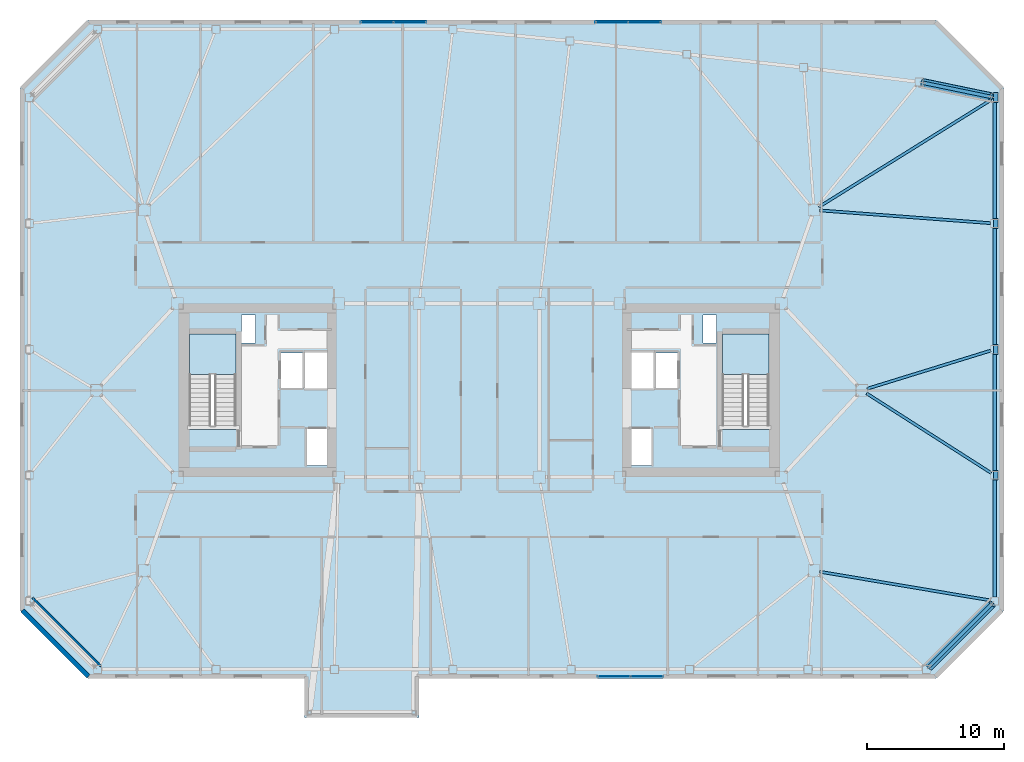
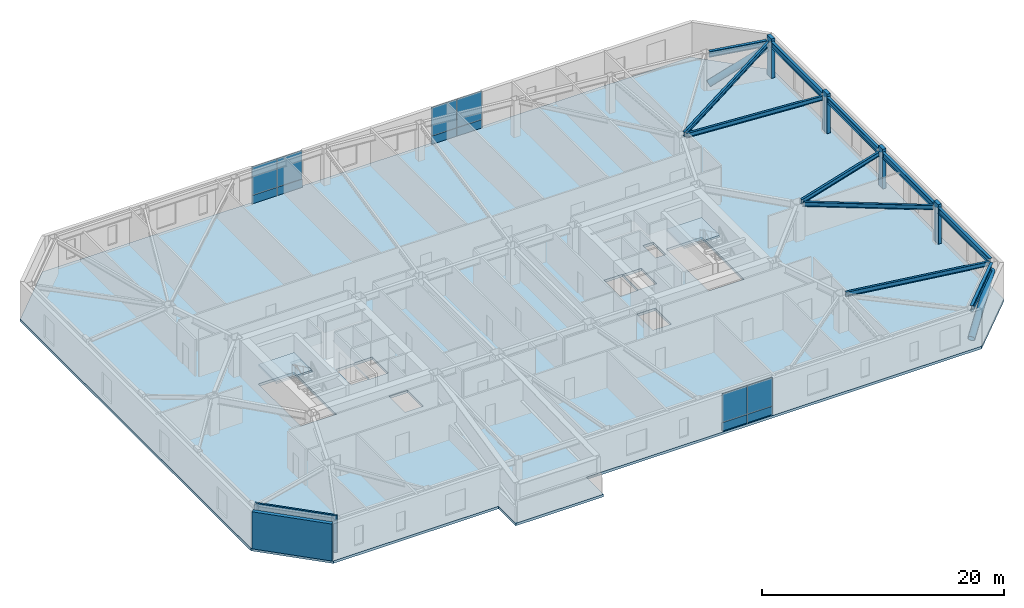
# One storey, part 8 of 17: 12 plates, 11 beams, 6 members, 3 slabs, 2 walls, 5 elements without a shape of their own.
"""IFC4 building model written with IfcOpenShell, lengths in metres."""

from ifc_helpers import new_model, si_unit, direction, frame, frame_2d, origin, origin_2d, place, context, subcontext, project, spatial, polyline, rectangle, hollow_circle, i_section, outline, extrude, material, layer, layer_set, material_profile, profile_set, type_object, element, aggregate, save


model = new_model("IFC4")

# Units and contexts
model_context = context("Model", 3, precision=1e-05, world=origin(), true_north=direction((0.0, 1.0)))
body_context = subcontext(model_context, "Body", "Model", "MODEL_VIEW")
ifc_project = project(units=[si_unit("LENGTHUNIT", "METRE"), si_unit("AREAUNIT", "SQUARE_METRE"), si_unit("VOLUMEUNIT", "CUBIC_METRE"), si_unit("PLANEANGLEUNIT", "RADIAN"), si_unit("MASSUNIT", "GRAM", prefix="KILO")], contexts=[model_context])

# Site, building, storey
site_placement = place(None, origin())
site = spatial("IfcSite", under=ifc_project, at=site_placement, CompositionType="ELEMENT")
building_placement = place(site_placement, origin())
building = spatial("IfcBuilding", under=site, at=building_placement, Name="Tavrogorsk Clinical Tower", CompositionType="ELEMENT")
storey_placement = place(building_placement, frame((0.0, 0.0, 160.199951171875)))
storey = spatial("IfcBuildingStorey", under=building, at=storey_placement, Name="L36", CompositionType="ELEMENT", Elevation=160.199951171875)

# Members
ifc_material_1 = material(Name="Structural steel S440", Category="steel")
ifc_material_profile_1 = material_profile(ifc_material_1, hollow_circle(Radius=0.304931640625, WallThickness=0.02490234375, at=origin_2d()), Name="CHS-610x25")
ifc_profile_set_1 = profile_set([ifc_material_profile_1], Name="Structural steel S440")
member_type_1 = type_object("IfcMemberType", Name="ExoBrace_CHS610", PredefinedType="BRACE", material=ifc_profile_set_1)
member_1_placement = place(storey_placement, frame((32.922607421875, -20.217529296875, 0.4130859375), z_axis=(0.657738695475, 0.657773644396, 0.3670335696), x_axis=(-0.707125566484, 0.70708799539, 0.0)))
element("IfcMember", 1, at=member_1_placement, inside=storey, type_object=member_type_1, Name="L36 Corner Exoskeleton Brace S8-E1", PredefinedType="BRACE", context=body_context, shape_type="SweptSolid", body=[
    extrude(hollow_circle(Radius=0.304931640625, WallThickness=0.02490234375, at=origin_2d()), origin(), (0.0, 0.0, 1.0), 6.985595703125),
])
member_2_placement = place(storey_placement, frame((32.461669921875, 22.509765625, 0.4365234375), z_axis=(0.877871206027, -0.181924853718, 0.442996042002), x_axis=(0.202922555913, 0.979194789764, 0.0)))
element("IfcMember", 2, at=member_2_placement, inside=storey, type_object=member_type_1, Name="L36 Corner Exoskeleton Brace E5-N1", PredefinedType="BRACE", context=body_context, shape_type="SweptSolid", body=[
    extrude(hollow_circle(Radius=0.304931640625, WallThickness=0.02490234375, at=origin_2d()), origin(), (0.0, 0.0, 1.0), 5.681884765625),
])

# Beams
ifc_material_2 = material(Name="Structural steel S355", Category="steel")
ifc_material_profile_2 = material_profile(ifc_material_2, i_section(OverallWidth=0.199951171875, OverallDepth=0.449951171875, WebThickness=0.011474609375, FlangeThickness=0.01806640625, at=origin_2d()), Name="B-450x200x11.5x18")
ifc_profile_set_2 = profile_set([ifc_material_profile_2], Name="Structural steel S355")
beam_type_1 = type_object("IfcBeamType", Name="FloorBeam_B450", PredefinedType="BEAM", material=ifc_profile_set_2)
beam_1_placement = place(storey_placement, frame((24.904296875, -13.267822265625, 3.51513671875), z_axis=(0.98619191169, -0.165606501434, 0.0), x_axis=(0.165606501434, 0.98619191169, 0.0)))
element("IfcBeam", 3, at=beam_1_placement, inside=storey, type_object=beam_type_1, Name="L36 Radial Floor Beam E1", PredefinedType="BEAM", context=body_context, shape_type="SweptSolid", body=[
    extrude(i_section(OverallWidth=0.199951171875, OverallDepth=0.449951171875, WebThickness=0.011474609375, FlangeThickness=0.01806640625, at=origin_2d()), origin(), (0.0, 0.0, 1.0), 12.687255859375),
])
beam_2_placement = place(storey_placement, frame((28.345458984375, -0.220703125, 3.51513671875), z_axis=(0.842695406435, -0.538390612821, 0.0), x_axis=(0.538390612821, 0.842695406435, 0.0)))
element("IfcBeam", 4, at=beam_2_placement, inside=storey, type_object=beam_type_1, Name="L36 Radial Floor Beam E2", PredefinedType="BEAM", context=body_context, shape_type="SweptSolid", body=[
    extrude(i_section(OverallWidth=0.199951171875, OverallDepth=0.449951171875, WebThickness=0.011474609375, FlangeThickness=0.01806640625, at=origin_2d()), origin(), (0.0, 0.0, 1.0), 10.81640625),
])
beam_3_placement = place(storey_placement, frame((28.391845703125, 0.120849609375, 3.51513671875), z_axis=(0.955521252098, 0.294922255499, 0.0), x_axis=(-0.294922255499, 0.955521252098, 0.0)))
element("IfcBeam", 5, at=beam_3_placement, inside=storey, type_object=beam_type_1, Name="L36 Radial Floor Beam E3", PredefinedType="BEAM", context=body_context, shape_type="SweptSolid", body=[
    extrude(i_section(OverallWidth=0.199951171875, OverallDepth=0.449951171875, WebThickness=0.011474609375, FlangeThickness=0.01806640625, at=origin_2d()), origin(), (0.0, 0.0, 1.0), 9.454345703125),
])
beam_4_placement = place(storey_placement, frame((24.908935546875, 13.16943359375, 3.51513671875), z_axis=(0.99720685587, -0.074689267009, 0.0), x_axis=(0.074689267009, 0.99720685587, 0.0)))
element("IfcBeam", 6, at=beam_4_placement, inside=storey, type_object=beam_type_1, Name="L36 Radial Floor Beam E4", PredefinedType="BEAM", context=body_context, shape_type="SweptSolid", body=[
    extrude(i_section(OverallWidth=0.199951171875, OverallDepth=0.449951171875, WebThickness=0.011474609375, FlangeThickness=0.01806640625, at=origin_2d()), origin(), (0.0, 0.0, 1.0), 12.538818359375),
])
beam_5_placement = place(storey_placement, frame((24.84814453125, 13.41650390625, 3.51513671875), z_axis=(0.849226346116, 0.528028988846, 0.0), x_axis=(-0.528028988846, 0.849226346116, 0.0)))
element("IfcBeam", 7, at=beam_5_placement, inside=storey, type_object=beam_type_1, Name="L36 Radial Floor Beam E5", PredefinedType="BEAM", context=body_context, shape_type="SweptSolid", body=[
    extrude(i_section(OverallWidth=0.199951171875, OverallDepth=0.449951171875, WebThickness=0.011474609375, FlangeThickness=0.01806640625, at=origin_2d()), origin(), (0.0, 0.0, 1.0), 14.84912109375),
])

# Members
ifc_material_3 = material(Name="Precast concrete B45 with limestone cladding", Category="masonry")
ifc_material_profile_3 = material_profile(ifc_material_3, rectangle(XDim=0.320068359375, YDim=0.719970703125, at=origin_2d()), Name="LIMESTONE-FIN-320x720")
ifc_profile_set_3 = profile_set([ifc_material_profile_3], Name="Precast concrete B45 with limestone cladding")
member_type_2 = type_object("IfcMemberType", Name="LimestonePleatFin_320x720", PredefinedType="USERDEFINED", material=ifc_profile_set_3)
for number, where, z_axis, x_axis, name in (
    (8, (37.800048828125, -6.2099609375, 0.0), (0.0, 0.0, 1.0), (1.0, 0.0, 0.0), "L36 E Pleated Stone Fin 1"),
    (9, (37.800048828125, 3.0, 0.0), (0.0, 0.0, 1.0), (1.0, 0.0, 0.0), "L36 E Pleated Stone Fin 2"),
    (10, (37.800048828125, 12.2099609375, 0.0), (0.0, 0.0, 1.0), (1.0, 0.0, 0.0), "L36 E Pleated Stone Fin 3"),
    (11, (37.800048828125, 21.419921875, 0.0), (0.0, 0.0, 1.0), (1.0, 0.0, 0.0), "L36 E Pleated Stone Fin 4"),
):
    element("IfcMember", number, at=place(storey_placement, frame(where, z_axis=z_axis, x_axis=x_axis)), inside=storey, type_object=member_type_2, Name=name, ObjectType="FIN", PredefinedType="USERDEFINED", context=body_context, shape_type="SweptSolid", body=[
        extrude(rectangle(XDim=0.320068359375, YDim=0.719970703125, at=origin_2d()), origin(), (0.0, 0.0, 1.0), 4.0),
    ])

# Beams
ifc_material_4 = material(Name="Structural steel S390", Category="steel")
ifc_material_profile_4 = material_profile(ifc_material_4, i_section(OverallWidth=0.260009765625, OverallDepth=0.60009765625, WebThickness=0.014892578125, FlangeThickness=0.02392578125, at=origin_2d()), Name="B-600x260x15x24")
ifc_profile_set_4 = profile_set([ifc_material_profile_4], Name="Structural steel S390")
beam_type_2 = type_object("IfcBeamType", Name="SpandrelBeam_B600", PredefinedType="SPANDREL", material=ifc_profile_set_4)
beam_6_placement = place(storey_placement, frame((32.937744140625, -20.2021484375, 3.43994140625), z_axis=(0.707106781187, 0.707106781187, 0.0), x_axis=(-0.707106781187, 0.707106781187, 0.0)))
element("IfcBeam", 12, at=beam_6_placement, inside=storey, type_object=beam_type_2, Name="L36 Perimeter Spandrel S8-E1", PredefinedType="SPANDREL", context=body_context, shape_type="SweptSolid", body=[
    extrude(i_section(OverallWidth=0.260009765625, OverallDepth=0.60009765625, WebThickness=0.014892578125, FlangeThickness=0.02392578125, at=origin_2d()), origin(), (0.0, 0.0, 1.0), 6.455078125),
])
for number, where, z_axis, x_axis, name in (
    (13, (37.719970703125, -15.112060546875, 3.43994140625), (0.0, 1.0, 0.0), (-1.0, 0.0, 0.0), "L36 Perimeter Spandrel E1-E2"),
    (14, (37.719970703125, -5.902099609375, 3.43994140625), (0.0, 1.0, 0.0), (-1.0, 0.0, 0.0), "L36 Perimeter Spandrel E2-E3"),
    (15, (37.719970703125, 3.30810546875, 3.43994140625), (0.0, 1.0, 0.0), (-1.0, 0.0, 0.0), "L36 Perimeter Spandrel E3-E4"),
    (16, (37.719970703125, 12.51806640625, 3.43994140625), (0.0, 1.0, 0.0), (-1.0, 0.0, 0.0), "L36 Perimeter Spandrel E4-E5"),
):
    element("IfcBeam", number, at=place(storey_placement, frame(where, z_axis=z_axis, x_axis=x_axis)), inside=storey, type_object=beam_type_2, Name=name, PredefinedType="SPANDREL", context=body_context, shape_type="SweptSolid", body=[
        extrude(i_section(OverallWidth=0.260009765625, OverallDepth=0.60009765625, WebThickness=0.014892578125, FlangeThickness=0.02392578125, at=origin_2d()), origin(), (0.0, 0.0, 1.0), 8.593994140625),
    ])
beam_7_placement = place(storey_placement, frame((37.41845703125, 21.482421875, 3.43994140625), z_axis=(-0.979184643877, 0.202971508337, 0.0), x_axis=(-0.202971508337, -0.979184643877, 0.0)))
element("IfcBeam", 17, at=beam_7_placement, inside=storey, type_object=beam_type_2, Name="L36 Perimeter Spandrel E5-N1", PredefinedType="SPANDREL", context=body_context, shape_type="SweptSolid", body=[
    extrude(i_section(OverallWidth=0.260009765625, OverallDepth=0.60009765625, WebThickness=0.014892578125, FlangeThickness=0.02392578125, at=origin_2d()), origin(), (0.0, 0.0, 1.0), 5.0302734375),
])

# Curtain wall, plates
ifc_material_5 = material(Name="Anodised aluminium and triple IGU glazing", Category="aluminium")
ifc_layer_1 = layer(ifc_material_5, 0.179931640625)
ifc_layer_set_1 = layer_set([ifc_layer_1], Name="Anodised aluminium and triple IGU glazing")
curtain_wall_type_1 = type_object("IfcCurtainWallType", Name="CW3_SouthSlot", PredefinedType="NOTDEFINED", material=ifc_layer_set_1)
curtain_wall_1_placement = place(storey_placement, origin())
curtain_wall_1 = element("IfcCurtainWall", 18, at=curtain_wall_1_placement, inside=storey, type_object=curtain_wall_type_1, Name="L36 Curtain Wall CW-L36-S-SLOT-2", PredefinedType="NOTDEFINED")
ifc_material_6 = material(Name="Honed Podolsk limestone spandrel panel", Category="masonry")
ifc_layer_2 = layer(ifc_material_6, 0.080078125)
ifc_layer_set_2 = layer_set([ifc_layer_2], Name="Honed Podolsk limestone spandrel panel")
plate_type_1 = type_object("IfcPlateType", Name="CwSpandrelStonePanel_80", PredefinedType="CURTAIN_PANEL", material=ifc_layer_set_2)
plate_1_placement = place(storey_placement, frame((9.854736328125, -20.929931640625, 0.002197265625), z_axis=(0.0, 0.0, 1.0), x_axis=(1.0, 0.0, 0.0)))
plate_1 = element("IfcPlate", 19, at=plate_1_placement, type_object=plate_type_1, Name="CW-L36-S-SLOT-2 Stone Spandrel Panel 1", PredefinedType="CURTAIN_PANEL", context=body_context, shape_type="SweptSolid", body=[
    extrude(rectangle(XDim=2.39208984375, YDim=0.080078125, at=origin_2d()), origin(), (0.0, 0.0, 1.0), 0.8359375),
])
plate_2_placement = place(storey_placement, frame((12.270751953125, -20.929931640625, 0.002197265625), z_axis=(0.0, 0.0, 1.0), x_axis=(1.0, 0.0, 0.0)))
plate_2 = element("IfcPlate", 20, at=plate_2_placement, type_object=plate_type_1, Name="CW-L36-S-SLOT-2 Stone Spandrel Panel 2", PredefinedType="CURTAIN_PANEL", context=body_context, shape_type="SweptSolid", body=[
    extrude(rectangle(XDim=2.39208984375, YDim=0.080078125, at=origin_2d()), origin(), (0.0, 0.0, 1.0), 0.8359375),
])

ifc_material_7 = material(Name="Anodised aluminium and triple IGU glazing", Category="aluminium")
ifc_layer_3 = layer(ifc_material_7, 0.179931640625)
ifc_layer_set_3 = layer_set([ifc_layer_3], Name="Anodised aluminium and triple IGU glazing")
curtain_wall_type_2 = type_object("IfcCurtainWallType", Name="CW2_NorthSlot", PredefinedType="NOTDEFINED", material=ifc_layer_set_3)
curtain_wall_2_placement = place(storey_placement, origin())
curtain_wall_2 = element("IfcCurtainWall", 21, at=curtain_wall_2_placement, inside=storey, type_object=curtain_wall_type_2, Name="L36 Curtain Wall CW-L36-N-SLOT-1", PredefinedType="NOTDEFINED")
plate_3_placement = place(storey_placement, frame((-5.054931640625, 26.929931640625, 0.002197265625), z_axis=(0.0, 0.0, 1.0), x_axis=(-1.0, 0.0, 0.0)))
plate_3 = element("IfcPlate", 22, at=plate_3_placement, type_object=plate_type_1, Name="CW-L36-N-SLOT-1 Stone Spandrel Panel 1", PredefinedType="CURTAIN_PANEL", context=body_context, shape_type="SweptSolid", body=[
    extrude(rectangle(XDim=2.39208984375, YDim=0.080078125, at=origin_2d()), origin(), (0.0, 0.0, 1.0), 0.8359375),
])
plate_4_placement = place(storey_placement, frame((-7.470947265625, 26.929931640625, 0.002197265625), z_axis=(0.0, 0.0, 1.0), x_axis=(-1.0, 0.0, 0.0)))
plate_4 = element("IfcPlate", 23, at=plate_4_placement, type_object=plate_type_1, Name="CW-L36-N-SLOT-1 Stone Spandrel Panel 2", PredefinedType="CURTAIN_PANEL", context=body_context, shape_type="SweptSolid", body=[
    extrude(rectangle(XDim=2.39208984375, YDim=0.080078125, at=origin_2d()), origin(), (0.0, 0.0, 1.0), 0.8359375),
])

curtain_wall_3_placement = place(storey_placement, origin())
curtain_wall_3 = element("IfcCurtainWall", 24, at=curtain_wall_3_placement, inside=storey, type_object=curtain_wall_type_2, Name="L36 Curtain Wall CW-L36-N-SLOT-2", PredefinedType="NOTDEFINED")
plate_5_placement = place(storey_placement, frame((12.1181640625, 26.929931640625, 0.002197265625), z_axis=(0.0, 0.0, 1.0), x_axis=(-1.0, 0.0, 0.0)))
plate_5 = element("IfcPlate", 25, at=plate_5_placement, type_object=plate_type_1, Name="CW-L36-N-SLOT-2 Stone Spandrel Panel 1", PredefinedType="CURTAIN_PANEL", context=body_context, shape_type="SweptSolid", body=[
    extrude(rectangle(XDim=2.39208984375, YDim=0.080078125, at=origin_2d()), origin(), (0.0, 0.0, 1.0), 0.8359375),
])
plate_6_placement = place(storey_placement, frame((9.7021484375, 26.929931640625, 0.002197265625), z_axis=(0.0, 0.0, 1.0), x_axis=(-1.0, 0.0, 0.0)))
plate_6 = element("IfcPlate", 26, at=plate_6_placement, type_object=plate_type_1, Name="CW-L36-N-SLOT-2 Stone Spandrel Panel 2", PredefinedType="CURTAIN_PANEL", context=body_context, shape_type="SweptSolid", body=[
    extrude(rectangle(XDim=2.39208984375, YDim=0.080078125, at=origin_2d()), origin(), (0.0, 0.0, 1.0), 0.8359375),
])

# Plate
ifc_material_8 = material(Name="Triple low-E argon insulated glass", Category="glass")
ifc_layer_4 = layer(ifc_material_8, 0.048095703125)
ifc_layer_set_4 = layer_set([ifc_layer_4], Name="Triple low-E argon insulated glass")
plate_type_2 = type_object("IfcPlateType", Name="CwVisionGlassPanel_48", PredefinedType="CURTAIN_PANEL", material=ifc_layer_set_4)
plate_7_placement = place(storey_placement, frame((9.854736328125, -20.929931640625, 0.862060546875), z_axis=(0.0, 0.0, 1.0), x_axis=(1.0, 0.0, 0.0)))
plate_7 = element("IfcPlate", 27, at=plate_7_placement, type_object=plate_type_2, Name="CW-L36-S-SLOT-2 Glazing Panel 1", PredefinedType="CURTAIN_PANEL", context=body_context, shape_type="SweptSolid", body=[
    extrude(rectangle(XDim=2.39208984375, YDim=0.048095703125, at=origin_2d()), origin(), (0.0, 0.0, 1.0), 2.8759765625),
])

plate_8_placement = place(storey_placement, frame((12.270751953125, -20.929931640625, 0.862060546875), z_axis=(0.0, 0.0, 1.0), x_axis=(1.0, 0.0, 0.0)))
plate_8 = element("IfcPlate", 28, at=plate_8_placement, type_object=plate_type_2, Name="CW-L36-S-SLOT-2 Glazing Panel 2", PredefinedType="CURTAIN_PANEL", context=body_context, shape_type="SweptSolid", body=[
    extrude(rectangle(XDim=2.39208984375, YDim=0.048095703125, at=origin_2d()), origin(), (0.0, 0.0, 1.0), 2.8759765625),
])

aggregate(curtain_wall_1, [plate_1, plate_7, plate_2, plate_8])

plate_9_placement = place(storey_placement, frame((-5.054931640625, 26.929931640625, 0.862060546875), z_axis=(0.0, 0.0, 1.0), x_axis=(-1.0, 0.0, 0.0)))
plate_9 = element("IfcPlate", 29, at=plate_9_placement, type_object=plate_type_2, Name="CW-L36-N-SLOT-1 Glazing Panel 1", PredefinedType="CURTAIN_PANEL", context=body_context, shape_type="SweptSolid", body=[
    extrude(rectangle(XDim=2.39208984375, YDim=0.048095703125, at=origin_2d()), origin(), (0.0, 0.0, 1.0), 2.8759765625),
])

plate_10_placement = place(storey_placement, frame((-7.470947265625, 26.929931640625, 0.862060546875), z_axis=(0.0, 0.0, 1.0), x_axis=(-1.0, 0.0, 0.0)))
plate_10 = element("IfcPlate", 30, at=plate_10_placement, type_object=plate_type_2, Name="CW-L36-N-SLOT-1 Glazing Panel 2", PredefinedType="CURTAIN_PANEL", context=body_context, shape_type="SweptSolid", body=[
    extrude(rectangle(XDim=2.39208984375, YDim=0.048095703125, at=origin_2d()), origin(), (0.0, 0.0, 1.0), 2.8759765625),
])

aggregate(curtain_wall_2, [plate_3, plate_9, plate_4, plate_10])

plate_11_placement = place(storey_placement, frame((12.1181640625, 26.929931640625, 0.862060546875), z_axis=(0.0, 0.0, 1.0), x_axis=(-1.0, 0.0, 0.0)))
plate_11 = element("IfcPlate", 31, at=plate_11_placement, type_object=plate_type_2, Name="CW-L36-N-SLOT-2 Glazing Panel 1", PredefinedType="CURTAIN_PANEL", context=body_context, shape_type="SweptSolid", body=[
    extrude(rectangle(XDim=2.39208984375, YDim=0.048095703125, at=origin_2d()), origin(), (0.0, 0.0, 1.0), 2.8759765625),
])

plate_12_placement = place(storey_placement, frame((9.7021484375, 26.929931640625, 0.862060546875), z_axis=(0.0, 0.0, 1.0), x_axis=(-1.0, 0.0, 0.0)))
plate_12 = element("IfcPlate", 32, at=plate_12_placement, type_object=plate_type_2, Name="CW-L36-N-SLOT-2 Glazing Panel 2", PredefinedType="CURTAIN_PANEL", context=body_context, shape_type="SweptSolid", body=[
    extrude(rectangle(XDim=2.39208984375, YDim=0.048095703125, at=origin_2d()), origin(), (0.0, 0.0, 1.0), 2.8759765625),
])

aggregate(curtain_wall_3, [plate_5, plate_11, plate_6, plate_12])

# Stair, slab
ifc_material_9 = material(Name="Concrete B60", Category="concrete")
stair_type = type_object("IfcStairType", Name="CoreStairAssembly", PredefinedType="HALF_TURN_STAIR", material=ifc_material_9)
stair_1_placement = place(storey_placement, origin())
stair_1 = element("IfcStair", 33, at=stair_1_placement, inside=storey, type_object=stair_type, Name="L36 ST-W", PredefinedType="HALF_TURN_STAIR")
ifc_material_10 = material(Name="Concrete B60", Category="concrete")
ifc_layer_5 = layer(ifc_material_10, 0.199951171875)
ifc_layer_set_5 = layer_set([ifc_layer_5], Name="Concrete B60")
slab_type_1 = type_object("IfcSlabType", Name="StairLanding_200", PredefinedType="LANDING", material=ifc_layer_set_5)
slab_1_placement = place(storey_placement, frame((0.0, 0.0, 1.800048828125)))
slab_1 = element("IfcSlab", 34, at=slab_1_placement, type_object=slab_type_1, Name="ST-W landing 1", PredefinedType="LANDING", context=body_context, shape_type="SweptSolid", body=[
    extrude(outline(polyline([(-17.800048828125, 1.1650390625), (-17.800048828125, 4.125), (-21.199951171875, 4.125), (-21.199951171875, 1.1650390625), (-17.800048828125, 1.1650390625)])), origin(), (0.0, 0.0, 1.0), 0.199951171875),
])
aggregate(stair_1, [slab_1])

stair_2_placement = place(storey_placement, origin())
stair_2 = element("IfcStair", 35, at=stair_2_placement, inside=storey, type_object=stair_type, Name="L36 ST-E", PredefinedType="HALF_TURN_STAIR")
slab_2_placement = place(storey_placement, frame((0.0, 0.0, 1.800048828125)))
slab_2 = element("IfcSlab", 36, at=slab_2_placement, type_object=slab_type_1, Name="ST-E landing 1", PredefinedType="LANDING", context=body_context, shape_type="SweptSolid", body=[
    extrude(outline(polyline([(21.199951171875, 1.1650390625), (21.199951171875, 4.125), (17.800048828125, 4.125), (17.800048828125, 1.1650390625), (21.199951171875, 1.1650390625)])), origin(), (0.0, 0.0, 1.0), 0.199951171875),
])
aggregate(stair_2, [slab_2])

# Slab
ifc_material_11 = material(Name="Concrete B60", Category="concrete")
ifc_layer_6 = layer(ifc_material_11, 0.260009765625)
ifc_layer_set_6 = layer_set([ifc_layer_6], Name="Concrete B60")
slab_type_2 = type_object("IfcSlabType", Name="WardSlab_260", PredefinedType="FLOOR", material=ifc_layer_set_6)
slab_3_placement = place(storey_placement, frame((0.0, 0.0, -0.260009765625)))
element("IfcSlab", 37, at=slab_3_placement, inside=storey, type_object=slab_type_2, Name="L36 Structural Slab", PredefinedType="FLOOR", context=body_context, shape_type="SweptSolid", body=[
    extrude(outline(polyline([(-28.60009765625, -21.10009765625), (-33.60009765625, -16.10009765625), (-33.60009765625, 22.10009765625), (-28.60009765625, 27.10009765625), (33.39990234375, 27.10009765625), (38.39990234375, 22.10009765625), (38.39990234375, -16.10009765625), (33.39990234375, -21.10009765625), (-4.39990234375, -21.10009765625), (-4.39990234375, -23.949951171875), (-12.800048828125, -23.949951171875), (-12.800048828125, -21.10009765625), (-28.60009765625, -21.10009765625)]), holes=[polyline([(-17.800048828125, -2.8798828125), (-17.800048828125, 4.125), (-21.199951171875, 4.125), (-21.199951171875, -2.8798828125), (-17.800048828125, -2.8798828125)]), polyline([(21.199951171875, -2.8798828125), (21.199951171875, 4.125), (17.800048828125, 4.125), (17.800048828125, -2.8798828125), (21.199951171875, -2.8798828125)]), polyline([(-14.6201171875, 0.169921875), (-12.860107421875, 0.169921875), (-12.860107421875, 2.72998046875), (-14.6201171875, 2.72998046875), (-14.6201171875, 0.169921875)]), polyline([(-12.72998046875, -5.47998046875), (-10.969970703125, -5.47998046875), (-10.969970703125, -2.820068359375), (-12.72998046875, -2.820068359375), (-12.72998046875, -5.47998046875)]), polyline([(-12.840087890625, 0.1201171875), (-11.080078125, 0.1201171875), (-11.080078125, 2.780029296875), (-12.840087890625, 2.780029296875), (-12.840087890625, 0.1201171875)]), polyline([(12.860107421875, 0.169921875), (14.6201171875, 0.169921875), (14.6201171875, 2.72998046875), (12.860107421875, 2.72998046875), (12.860107421875, 0.169921875)]), polyline([(10.969970703125, -5.47998046875), (12.72998046875, -5.47998046875), (12.72998046875, -2.820068359375), (10.969970703125, -2.820068359375), (10.969970703125, -5.47998046875)]), polyline([(11.080078125, 0.1201171875), (12.840087890625, 0.1201171875), (12.840087890625, 2.780029296875), (11.080078125, 2.780029296875), (11.080078125, 0.1201171875)]), polyline([(-17.3798828125, 3.449951171875), (-16.3798828125, 3.449951171875), (-16.3798828125, 5.5), (-17.3798828125, 5.5), (-17.3798828125, 3.449951171875)]), polyline([(16.3798828125, 3.449951171875), (17.3798828125, 3.449951171875), (17.3798828125, 5.5), (16.3798828125, 5.5), (16.3798828125, 3.449951171875)])]), origin(), (0.0, 0.0, 1.0), 0.260009765625),
])

# Walls
ifc_material_12 = material(Name="Lightweight concrete blockwork B15", Category="masonry")
ifc_layer_7 = layer(ifc_material_12, 0.159912109375)
ifc_layer_set_7 = layer_set([ifc_layer_7], Name="Lightweight concrete blockwork B15")
wall_type_1 = type_object("IfcWallType", Name="PartitionWall_160", PredefinedType="PARTITIONING", material=ifc_layer_set_7)
wall_1_placement = place(storey_placement, frame((-32.6796875, -15.1796875, 0.0), z_axis=(0.0, 0.0, 1.0), x_axis=(0.707106781187, -0.707106781187, 0.0)))
element("IfcWall", 38, at=wall_1_placement, inside=storey, type_object=wall_type_1, Name="L36 Corner Exoskeleton Brace Furring Wall 4", PredefinedType="PARTITIONING", context=body_context, shape_type="SweptSolid", body=[
    extrude(rectangle(XDim=7.071044921875, YDim=0.159912109375, at=frame_2d((3.53564453125, 0.0))), origin(), (0.0, 0.0, 1.0), 3.739990234375),
])
ifc_material_13 = material(Name="Precast concrete B45 with limestone cladding", Category="masonry")
ifc_layer_8 = layer(ifc_material_13, 0.340087890625)
ifc_layer_set_8 = layer_set([ifc_layer_8], Name="Precast concrete B45 with limestone cladding")
wall_type_2 = type_object("IfcWallType", Name="PrecastLimestoneWall_340", PredefinedType="STANDARD", material=ifc_layer_set_8)
wall_2_placement = place(storey_placement, frame((-33.429931640625, -16.10009765625, 0.0), z_axis=(0.0, 0.0, 1.0), x_axis=(0.707106781187, -0.707106781187, 0.0)))
element("IfcWall", 39, at=wall_2_placement, inside=storey, type_object=wall_type_2, Name="L36 Chamfered Corner Wall 4", PredefinedType="STANDARD", context=body_context, shape_type="SweptSolid", body=[
    extrude(rectangle(XDim=6.830322265625, YDim=0.340087890625, at=frame_2d((3.4150390625, 0.0))), origin(), (0.0, 0.0, 1.0), 3.739990234375),
])

save(model, "model.ifc")
